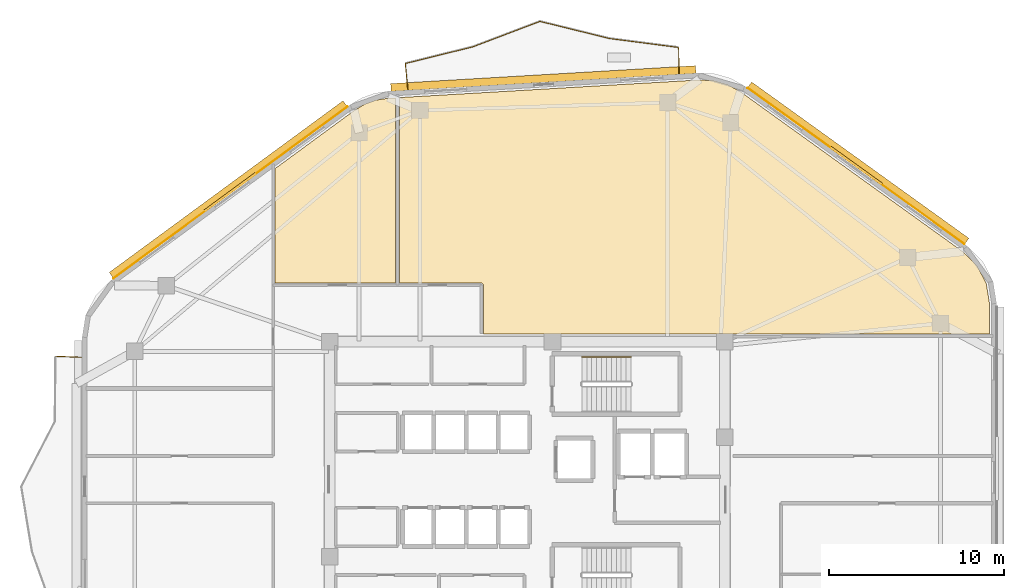
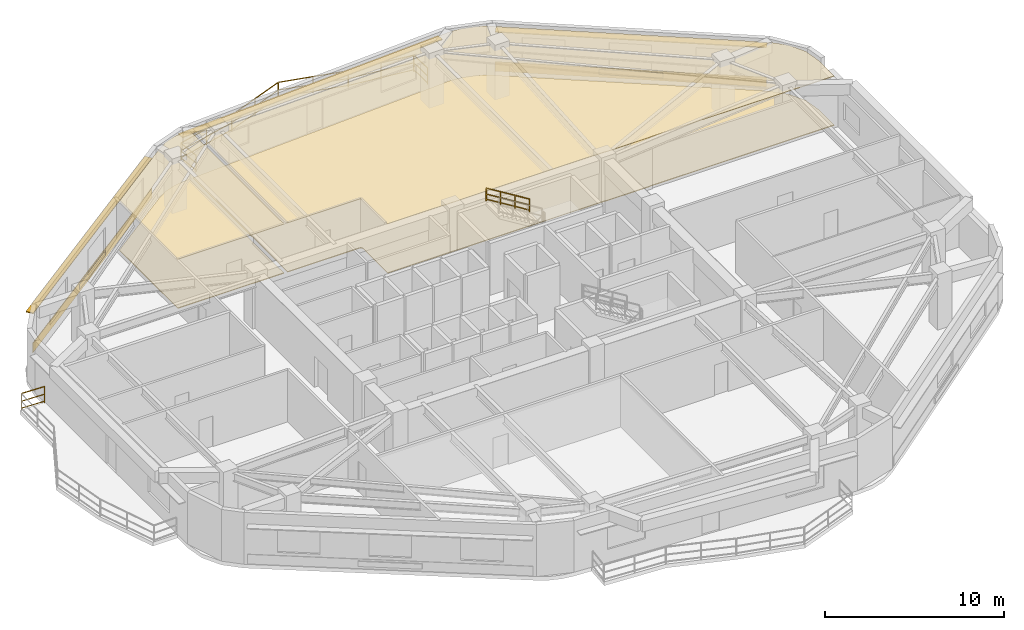
# One storey, part 9 of 9: 8 railings, 6 coverings, 5 shading devices.
"""IFC4 building model written with IfcOpenShell, lengths in metres."""

from ifc_helpers import new_model, si_unit, direction, frame, origin, origin_2d, place, context, subcontext, project, spatial, polyline, rectangle, outline, extrude, material, layer, layer_set, type_object, element, save


model = new_model("IFC4")

# Units and contexts
model_context = context("Model", 3, precision=1e-05, world=origin(), true_north=direction((0.0, 1.0)))
body_context = subcontext(model_context, "Body", "Model", "MODEL_VIEW")
ifc_project = project(units=[si_unit("LENGTHUNIT", "METRE"), si_unit("AREAUNIT", "SQUARE_METRE"), si_unit("VOLUMEUNIT", "CUBIC_METRE"), si_unit("PLANEANGLEUNIT", "RADIAN"), si_unit("MASSUNIT", "GRAM", prefix="KILO")], contexts=[model_context])

# Site, building, storey
site_placement = place(None, origin())
site = spatial("IfcSite", under=ifc_project, at=site_placement, CompositionType="ELEMENT")
building_placement = place(site_placement, origin())
building = spatial("IfcBuilding", under=site, at=building_placement, Name="Zulverin Broadcast Headquarters", CompositionType="ELEMENT")
storey_placement = place(building_placement, frame((0.0, 0.0, 212.39990234375)))
storey = spatial("IfcBuildingStorey", under=building, at=storey_placement, Name="L54", CompositionType="ELEMENT", Elevation=212.39990234375)

# Coverings
ifc_material_1 = material(Name="Perforated pale-metal acoustic baffle ceiling", Category="aluminium")
ifc_layer_1 = layer(ifc_material_1, 0.0400390625, Name="Perforated pale-metal acoustic baffle ceiling", Category="aluminium")
ifc_layer_set_1 = layer_set([ifc_layer_1], Name="Perforated pale-metal acoustic baffle ceiling")
covering_type_1 = type_object("IfcCoveringType", Name="COV-CEIL-ACOU", PredefinedType="CEILING", material=ifc_layer_set_1)
covering_1_placement = place(storey_placement, frame((0.0, 0.0, 3.360107421875)))
element("IfcCovering", 1, at=covering_1_placement, inside=storey, type_object=covering_type_1, Name="L54 Acoustic Baffle Ceiling 01", PredefinedType="CEILING", context=body_context, shape_type="SweptSolid", body=[
    extrude(outline(polyline([(29.47998046875, 36.419921875), (29.47998046875, 46.99609375), (29.075927734375, 46.971923828125), (28.3759765625, 46.864013671875), (27.73193359375, 46.632080078125), (27.1279296875, 46.26806640625), (22.6201171875, 42.9599609375), (22.6201171875, 36.419921875), (29.47998046875, 36.419921875)])), origin(), (0.0, 0.0, 1.0), 0.0400390625),
])
covering_2_placement = place(storey_placement, frame((0.0, 0.0, 3.360107421875)))
element("IfcCovering", 2, at=covering_2_placement, inside=storey, type_object=covering_type_1, Name="L54 Acoustic Baffle Ceiling 02", PredefinedType="CEILING", context=body_context, shape_type="SweptSolid", body=[
    extrude(outline(polyline([(47.679931640625, 47.968017578125), (46.840087890625, 48.01611328125), (41.10791015625, 47.679931640625), (29.719970703125, 47.008056640625), (29.719970703125, 36.419921875), (34.367919921875, 36.419921875), (34.3798828125, 36.419921875), (34.39208984375, 36.416015625), (34.39990234375, 36.416015625), (34.412109375, 36.412109375), (34.419921875, 36.407958984375), (34.427978515625, 36.404052734375), (34.43603515625, 36.39990234375), (34.447998046875, 36.39208984375), (34.4599609375, 36.384033203125), (34.468017578125, 36.3759765625), (34.47607421875, 36.367919921875), (34.48388671875, 36.360107421875), (34.491943359375, 36.347900390625), (34.5, 36.3359375), (34.50390625, 36.327880859375), (34.508056640625, 36.320068359375), (34.511962890625, 36.31201171875), (34.51611328125, 36.300048828125), (34.51611328125, 36.2919921875), (34.52001953125, 36.280029296875), (34.52001953125, 36.26806640625), (34.52001953125, 33.52001953125), (48.568115234375, 33.52001953125), (48.580078125, 33.52001953125), (48.592041015625, 33.51611328125), (48.60009765625, 33.51611328125), (48.612060546875, 33.511962890625), (48.6201171875, 33.508056640625), (48.635986328125, 33.5), (51.464111328125, 33.5), (51.471923828125, 33.50390625), (51.47998046875, 33.508056640625), (51.488037109375, 33.511962890625), (51.5, 33.51611328125), (51.508056640625, 33.51611328125), (51.52001953125, 33.52001953125), (51.531982421875, 33.52001953125), (63.39990234375, 33.52001953125), (63.39990234375, 35.236083984375), (63.216064453125, 36.384033203125), (62.699951171875, 37.387939453125), (61.8798828125, 38.2080078125), (51.427978515625, 45.72412109375), (49.196044921875, 47.33203125), (48.4599609375, 47.739990234375), (47.679931640625, 47.968017578125)])), origin(), (0.0, 0.0, 1.0), 0.0400390625),
])
ifc_material_2 = material(Name="Brushed pale-aluminium rainscreen cladding", Category="aluminium")
ifc_layer_2 = layer(ifc_material_2, 0.0400390625, Name="Brushed pale-aluminium rainscreen cladding", Category="aluminium")
ifc_layer_set_2 = layer_set([ifc_layer_2], Name="Brushed pale-aluminium rainscreen cladding")
covering_type_2 = type_object("IfcCoveringType", Name="COV-CLAD-PALE", PredefinedType="CLADDING", material=ifc_layer_set_2)
covering_3_placement = place(storey_placement, frame((55.7783203125, 43.099853515625, 0.05517578125), z_axis=(0.0, 0.0, 1.0), x_axis=(-0.811723852333, 0.58404142623, 0.0)))
element("IfcCovering", 3, at=covering_3_placement, inside=storey, type_object=covering_type_2, Name="L54 Brushed Pale-Aluminium Spandrel Cladding 4", PredefinedType="CLADDING", context=body_context, shape_type="SweptSolid", body=[
    extrude(rectangle(XDim=15.279296875, YDim=0.0400390625, at=origin_2d()), origin(), (0.0, 0.0, 1.0), 0.64990234375),
])
covering_4_placement = place(storey_placement, frame((20.062255859375, 41.5908203125, 0.05517578125), z_axis=(0.0, 0.0, 1.0), x_axis=(-0.806096670674, -0.591783877382, 0.0)))
element("IfcCovering", 4, at=covering_4_placement, inside=storey, type_object=covering_type_2, Name="L54 Brushed Pale-Aluminium Spandrel Cladding 6", PredefinedType="CLADDING", context=body_context, shape_type="SweptSolid", body=[
    extrude(rectangle(XDim=16.558837890625, YDim=0.0400390625, at=origin_2d()), origin(), (0.0, 0.0, 1.0), 0.64990234375),
])
ifc_material_3 = material(Name="Anti-static broadcast raised access flooring", Category="stone")
ifc_layer_3 = layer(ifc_material_3, 0.050048828125, Name="Anti-static broadcast raised access flooring", Category="stone")
ifc_layer_set_3 = layer_set([ifc_layer_3], Name="Anti-static broadcast raised access flooring")
covering_type_3 = type_object("IfcCoveringType", Name="COV-FLR-RAISED", PredefinedType="FLOORING", material=ifc_layer_set_3)
covering_5_placement = place(storey_placement, origin())
element("IfcCovering", 5, at=covering_5_placement, inside=storey, type_object=covering_type_3, Name="L54 Broadcast Raised Access Flooring 01", PredefinedType="FLOORING", context=body_context, shape_type="SweptSolid", body=[
    extrude(outline(polyline([(29.47998046875, 36.419921875), (29.47998046875, 46.99609375), (29.075927734375, 46.971923828125), (28.3759765625, 46.864013671875), (27.73193359375, 46.632080078125), (27.1279296875, 46.26806640625), (22.6201171875, 42.9599609375), (22.6201171875, 36.419921875), (29.47998046875, 36.419921875)])), origin(), (0.0, 0.0, 1.0), 0.050048828125),
])
covering_6_placement = place(storey_placement, origin())
element("IfcCovering", 6, at=covering_6_placement, inside=storey, type_object=covering_type_3, Name="L54 Broadcast Raised Access Flooring 02", PredefinedType="FLOORING", context=body_context, shape_type="SweptSolid", body=[
    extrude(outline(polyline([(47.679931640625, 47.968017578125), (46.840087890625, 48.01611328125), (41.10791015625, 47.679931640625), (29.719970703125, 47.008056640625), (29.719970703125, 36.419921875), (34.367919921875, 36.419921875), (34.3798828125, 36.419921875), (34.39208984375, 36.416015625), (34.39990234375, 36.416015625), (34.412109375, 36.412109375), (34.419921875, 36.407958984375), (34.427978515625, 36.404052734375), (34.43603515625, 36.39990234375), (34.447998046875, 36.39208984375), (34.4599609375, 36.384033203125), (34.468017578125, 36.3759765625), (34.47607421875, 36.367919921875), (34.48388671875, 36.360107421875), (34.491943359375, 36.347900390625), (34.5, 36.3359375), (34.50390625, 36.327880859375), (34.508056640625, 36.320068359375), (34.511962890625, 36.31201171875), (34.51611328125, 36.300048828125), (34.51611328125, 36.2919921875), (34.52001953125, 36.280029296875), (34.52001953125, 36.26806640625), (34.52001953125, 33.52001953125), (48.568115234375, 33.52001953125), (48.580078125, 33.52001953125), (48.592041015625, 33.51611328125), (48.60009765625, 33.51611328125), (48.612060546875, 33.511962890625), (48.6201171875, 33.508056640625), (48.635986328125, 33.5), (51.464111328125, 33.5), (51.471923828125, 33.50390625), (51.47998046875, 33.508056640625), (51.488037109375, 33.511962890625), (51.5, 33.51611328125), (51.508056640625, 33.51611328125), (51.52001953125, 33.52001953125), (51.531982421875, 33.52001953125), (63.39990234375, 33.52001953125), (63.39990234375, 35.236083984375), (63.216064453125, 36.384033203125), (62.699951171875, 37.387939453125), (61.8798828125, 38.2080078125), (51.427978515625, 45.72412109375), (49.196044921875, 47.33203125), (48.4599609375, 47.739990234375), (47.679931640625, 47.968017578125)])), origin(), (0.0, 0.0, 1.0), 0.050048828125),
])

# Railings
ifc_material_4 = material(Name="Brushed stainless steel & laminated glass balustrade", Category="steel")
railing_type_1 = type_object("IfcRailingType", Name="RL-GUARD-1150", PredefinedType="GUARDRAIL", material=ifc_material_4)
railing_1_placement = place(storey_placement, frame((45.677734375, 48.388427734375, 0.0)))
element("IfcRailing", 7, at=railing_1_placement, inside=storey, type_object=railing_type_1, Name="L54 Vertical-Forest Balcony Guardrail BAL_N Segment 01", PredefinedType="GUARDRAIL", context=body_context, shape_type="SweptSolid", body=[
    extrude(rectangle(XDim=0.048095703125, YDim=0.048095703125, at=origin_2d()), frame((0.0, 0.0, 1.1259765625), z_axis=(-0.018318045163, 0.999832210534, 0.0), x_axis=(-0.999832210534, -0.018318045163, 0.0)), (0.0, 0.0, 1.0), 1.466064453125),
    extrude(rectangle(XDim=0.0419921875, YDim=0.0419921875, at=origin_2d()), frame((0.0, 0.0, 0.597900390625), z_axis=(-0.018318045163, 0.999832210534, 0.0), x_axis=(-0.999832210534, -0.018318045163, 0.0)), (0.0, 0.0, 1.0), 1.466064453125),
    extrude(rectangle(XDim=0.0419921875, YDim=0.0419921875, at=origin_2d()), frame((0.0, 0.0, 0.1201171875), z_axis=(-0.018318045163, 0.999832210534, 0.0), x_axis=(-0.999832210534, -0.018318045163, 0.0)), (0.0, 0.0, 1.0), 1.466064453125),
    extrude(rectangle(XDim=0.0419921875, YDim=0.0419921875, at=origin_2d()), origin(), (0.0, 0.0, 1.0), 1.101806640625),
    extrude(rectangle(XDim=0.0419921875, YDim=0.0419921875, at=origin_2d()), frame((-0.02685546875, 1.4658203125, 0.0)), (0.0, 0.0, 1.0), 1.101806640625),
])
railing_2_placement = place(storey_placement, frame((45.6357421875, 49.87109375, 0.0)))
element("IfcRailing", 8, at=railing_2_placement, inside=storey, type_object=railing_type_1, Name="L54 Vertical-Forest Balcony Guardrail BAL_N Segment 02", PredefinedType="GUARDRAIL", context=body_context, shape_type="SweptSolid", body=[
    extrude(rectangle(XDim=0.048095703125, YDim=0.048095703125, at=origin_2d()), frame((0.0, 0.0, 1.1259765625), z_axis=(-0.991740860033, 0.12825781279, 0.0), x_axis=(-0.12825781279, -0.991740860033, 0.0)), (0.0, 0.0, 1.0), 3.947998046875),
    extrude(rectangle(XDim=0.0419921875, YDim=0.0419921875, at=origin_2d()), frame((0.0, 0.0, 0.597900390625), z_axis=(-0.991740860033, 0.12825781279, 0.0), x_axis=(-0.12825781279, -0.991740860033, 0.0)), (0.0, 0.0, 1.0), 3.947998046875),
    extrude(rectangle(XDim=0.0419921875, YDim=0.0419921875, at=origin_2d()), frame((0.0, 0.0, 0.1201171875), z_axis=(-0.991740860033, 0.12825781279, 0.0), x_axis=(-0.12825781279, -0.991740860033, 0.0)), (0.0, 0.0, 1.0), 3.947998046875),
    extrude(rectangle(XDim=0.0419921875, YDim=0.0419921875, at=origin_2d()), origin(), (0.0, 0.0, 1.0), 1.101806640625),
    extrude(rectangle(XDim=0.0419921875, YDim=0.0419921875, at=origin_2d()), frame((-1.95751953125, 0.253173828125, 0.0)), (0.0, 0.0, 1.0), 1.101806640625),
    extrude(rectangle(XDim=0.0419921875, YDim=0.0419921875, at=origin_2d()), frame((-3.915283203125, 0.50634765625, 0.0)), (0.0, 0.0, 1.0), 1.101806640625),
])
railing_3_placement = place(storey_placement, frame((41.69091796875, 50.3828125, 0.0)))
element("IfcRailing", 9, at=railing_3_placement, inside=storey, type_object=railing_type_1, Name="L54 Vertical-Forest Balcony Guardrail BAL_N Segment 03", PredefinedType="GUARDRAIL", context=body_context, shape_type="SweptSolid", body=[
    extrude(rectangle(XDim=0.048095703125, YDim=0.048095703125, at=origin_2d()), frame((0.0, 0.0, 1.1259765625), z_axis=(-0.971009726655, 0.239039977288, 0.0), x_axis=(-0.239039977288, -0.971009726655, 0.0)), (0.0, 0.0, 1.0), 4.060791015625),
    extrude(rectangle(XDim=0.0419921875, YDim=0.0419921875, at=origin_2d()), frame((0.0, 0.0, 0.597900390625), z_axis=(-0.971009726655, 0.239039977288, 0.0), x_axis=(-0.239039977288, -0.971009726655, 0.0)), (0.0, 0.0, 1.0), 4.060791015625),
    extrude(rectangle(XDim=0.0419921875, YDim=0.0419921875, at=origin_2d()), frame((0.0, 0.0, 0.1201171875), z_axis=(-0.971009726655, 0.239039977288, 0.0), x_axis=(-0.239039977288, -0.971009726655, 0.0)), (0.0, 0.0, 1.0), 4.060791015625),
    extrude(rectangle(XDim=0.0419921875, YDim=0.0419921875, at=origin_2d()), origin(), (0.0, 0.0, 1.0), 1.101806640625),
    extrude(rectangle(XDim=0.0419921875, YDim=0.0419921875, at=origin_2d()), frame((-1.9716796875, 0.4853515625, 0.0)), (0.0, 0.0, 1.0), 1.101806640625),
    extrude(rectangle(XDim=0.0419921875, YDim=0.0419921875, at=origin_2d()), frame((-3.943115234375, 0.970703125, 0.0)), (0.0, 0.0, 1.0), 1.101806640625),
])
railing_4_placement = place(storey_placement, frame((37.718994140625, 51.351806640625, 0.0)))
element("IfcRailing", 10, at=railing_4_placement, inside=storey, type_object=railing_type_1, Name="L54 Vertical-Forest Balcony Guardrail BAL_N Segment 04", PredefinedType="GUARDRAIL", context=body_context, shape_type="SweptSolid", body=[
    extrude(rectangle(XDim=0.048095703125, YDim=0.048095703125, at=origin_2d()), frame((0.0, 0.0, 1.1259765625), z_axis=(-0.935042150843, -0.354536565318, 0.0), x_axis=(0.354536565318, -0.935042150843, 0.0)), (0.0, 0.0, 1.0), 4.065673828125),
    extrude(rectangle(XDim=0.0419921875, YDim=0.0419921875, at=origin_2d()), frame((0.0, 0.0, 0.597900390625), z_axis=(-0.935042150843, -0.354536565318, 0.0), x_axis=(0.354536565318, -0.935042150843, 0.0)), (0.0, 0.0, 1.0), 4.065673828125),
    extrude(rectangle(XDim=0.0419921875, YDim=0.0419921875, at=origin_2d()), frame((0.0, 0.0, 0.1201171875), z_axis=(-0.935042150843, -0.354536565318, 0.0), x_axis=(0.354536565318, -0.935042150843, 0.0)), (0.0, 0.0, 1.0), 4.065673828125),
    extrude(rectangle(XDim=0.0419921875, YDim=0.0419921875, at=origin_2d()), origin(), (0.0, 0.0, 1.0), 1.101806640625),
    extrude(rectangle(XDim=0.0419921875, YDim=0.0419921875, at=origin_2d()), frame((-1.90087890625, -0.720703125, 0.0)), (0.0, 0.0, 1.0), 1.101806640625),
    extrude(rectangle(XDim=0.0419921875, YDim=0.0419921875, at=origin_2d()), frame((-3.801513671875, -1.44140625, 0.0)), (0.0, 0.0, 1.0), 1.101806640625),
])
railing_5_placement = place(storey_placement, frame((33.888916015625, 49.9013671875, 0.0)))
element("IfcRailing", 11, at=railing_5_placement, inside=storey, type_object=railing_type_1, Name="L54 Vertical-Forest Balcony Guardrail BAL_N Segment 05", PredefinedType="GUARDRAIL", context=body_context, shape_type="SweptSolid", body=[
    extrude(rectangle(XDim=0.048095703125, YDim=0.048095703125, at=origin_2d()), frame((0.0, 0.0, 1.1259765625), z_axis=(-0.970790611862, -0.239928297456, 0.0), x_axis=(0.239928297456, -0.970790611862, 0.0)), (0.0, 0.0, 1.0), 3.945068359375),
    extrude(rectangle(XDim=0.0419921875, YDim=0.0419921875, at=origin_2d()), frame((0.0, 0.0, 0.597900390625), z_axis=(-0.970790611862, -0.239928297456, 0.0), x_axis=(0.239928297456, -0.970790611862, 0.0)), (0.0, 0.0, 1.0), 3.945068359375),
    extrude(rectangle(XDim=0.0419921875, YDim=0.0419921875, at=origin_2d()), frame((0.0, 0.0, 0.1201171875), z_axis=(-0.970790611862, -0.239928297456, 0.0), x_axis=(0.239928297456, -0.970790611862, 0.0)), (0.0, 0.0, 1.0), 3.945068359375),
    extrude(rectangle(XDim=0.0419921875, YDim=0.0419921875, at=origin_2d()), origin(), (0.0, 0.0, 1.0), 1.101806640625),
    extrude(rectangle(XDim=0.0419921875, YDim=0.0419921875, at=origin_2d()), frame((-1.9150390625, -0.47314453125, 0.0)), (0.0, 0.0, 1.0), 1.101806640625),
    extrude(rectangle(XDim=0.0419921875, YDim=0.0419921875, at=origin_2d()), frame((-3.829833984375, -0.946533203125, 0.0)), (0.0, 0.0, 1.0), 1.101806640625),
])
railing_6_placement = place(storey_placement, frame((30.0458984375, 48.936279296875, 0.0)))
element("IfcRailing", 12, at=railing_6_placement, inside=storey, type_object=railing_type_1, Name="L54 Vertical-Forest Balcony Guardrail BAL_N Segment 06", PredefinedType="GUARDRAIL", context=body_context, shape_type="SweptSolid", body=[
    extrude(rectangle(XDim=0.048095703125, YDim=0.048095703125, at=origin_2d()), frame((0.0, 0.0, 1.1259765625), z_axis=(0.099256382944, -0.995061892771, 0.0), x_axis=(0.995061892771, 0.099256382944, 0.0)), (0.0, 0.0, 1.0), 1.466064453125),
    extrude(rectangle(XDim=0.0419921875, YDim=0.0419921875, at=origin_2d()), frame((0.0, 0.0, 0.597900390625), z_axis=(0.099256382944, -0.995061892771, 0.0), x_axis=(0.995061892771, 0.099256382944, 0.0)), (0.0, 0.0, 1.0), 1.466064453125),
    extrude(rectangle(XDim=0.0419921875, YDim=0.0419921875, at=origin_2d()), frame((0.0, 0.0, 0.1201171875), z_axis=(0.099256382944, -0.995061892771, 0.0), x_axis=(0.995061892771, 0.099256382944, 0.0)), (0.0, 0.0, 1.0), 1.466064453125),
    extrude(rectangle(XDim=0.0419921875, YDim=0.0419921875, at=origin_2d()), origin(), (0.0, 0.0, 1.0), 1.101806640625),
    extrude(rectangle(XDim=0.0419921875, YDim=0.0419921875, at=origin_2d()), frame((0.1455078125, -1.458740234375, 0.0)), (0.0, 0.0, 1.0), 1.101806640625),
])
railing_7_placement = place(storey_placement, frame((11.56005859375, 32.180419921875, 0.0)))
element("IfcRailing", 13, at=railing_7_placement, inside=storey, type_object=railing_type_1, Name="L54 Vertical-Forest Balcony Guardrail BAL_W Segment 01", PredefinedType="GUARDRAIL", context=body_context, shape_type="SweptSolid", body=[
    extrude(rectangle(XDim=0.048095703125, YDim=0.048095703125, at=origin_2d()), frame((0.0, 0.0, 1.1259765625), z_axis=(-0.999181155166, 0.040460093435, 0.0), x_axis=(-0.040460093435, -0.999181155166, 0.0)), (0.0, 0.0, 1.0), 1.46630859375),
    extrude(rectangle(XDim=0.0419921875, YDim=0.0419921875, at=origin_2d()), frame((0.0, 0.0, 0.597900390625), z_axis=(-0.999181155166, 0.040460093435, 0.0), x_axis=(-0.040460093435, -0.999181155166, 0.0)), (0.0, 0.0, 1.0), 1.46630859375),
    extrude(rectangle(XDim=0.0419921875, YDim=0.0419921875, at=origin_2d()), frame((0.0, 0.0, 0.1201171875), z_axis=(-0.999181155166, 0.040460093435, 0.0), x_axis=(-0.040460093435, -0.999181155166, 0.0)), (0.0, 0.0, 1.0), 1.46630859375),
    extrude(rectangle(XDim=0.0419921875, YDim=0.0419921875, at=origin_2d()), origin(), (0.0, 0.0, 1.0), 1.101806640625),
    extrude(rectangle(XDim=0.0419921875, YDim=0.0419921875, at=origin_2d()), frame((-1.465087890625, 0.059326171875, 0.0)), (0.0, 0.0, 1.0), 1.101806640625),
])
ifc_material_5 = material(Name="Brushed stainless steel 48 mm handrail", Category="steel")
railing_type_2 = type_object("IfcRailingType", Name="RL-ST-HAND", PredefinedType="HANDRAIL", material=ifc_material_5)
railing_8_placement = place(storey_placement, frame((42.929931640625, 32.199951171875, 2.07275390625)))
element("IfcRailing", 14, at=railing_8_placement, inside=storey, type_object=railing_type_2, Name="L54 ST-1 stair handrail 2", PredefinedType="HANDRAIL", context=body_context, shape_type="SweptSolid", body=[
    extrude(rectangle(XDim=0.048095703125, YDim=0.048095703125, at=origin_2d()), frame((0.0, 0.0, 0.8759765625), z_axis=(-0.851089632645, 0.0, 0.525020415988), x_axis=(0.0, -1.0, 0.0)), (0.0, 0.0, 1.0), 3.2900390625),
    extrude(rectangle(XDim=0.0419921875, YDim=0.0419921875, at=origin_2d()), frame((0.0, 0.0, 0.468017578125), z_axis=(-0.851089632645, 0.0, 0.525020415988), x_axis=(0.0, -1.0, 0.0)), (0.0, 0.0, 1.0), 3.2900390625),
    extrude(rectangle(XDim=0.0419921875, YDim=0.0419921875, at=origin_2d()), frame((0.0, 0.0, 0.1201171875), z_axis=(-0.851089632645, 0.0, 0.525020415988), x_axis=(0.0, -1.0, 0.0)), (0.0, 0.0, 1.0), 3.2900390625),
    extrude(rectangle(XDim=0.0419921875, YDim=0.0419921875, at=origin_2d()), origin(), (0.0, 0.0, 1.0), 0.851806640625),
    extrude(rectangle(XDim=0.0419921875, YDim=0.0419921875, at=origin_2d()), frame((-0.933349609375, 0.0, 0.57568359375)), (0.0, 0.0, 1.0), 0.851806640625),
    extrude(rectangle(XDim=0.0419921875, YDim=0.0419921875, at=origin_2d()), frame((-1.86669921875, 0.0, 1.151611328125)), (0.0, 0.0, 1.0), 0.851806640625),
    extrude(rectangle(XDim=0.0419921875, YDim=0.0419921875, at=origin_2d()), frame((-2.800048828125, 0.0, 1.727294921875)), (0.0, 0.0, 1.0), 0.851806640625),
])

# Shading devices
ifc_material_6 = material(Name="Anodized pale-metal aluminium acoustic louvre", Category="aluminium")
shading_device_type_1 = type_object("IfcShadingDeviceType", Name="SHD-LOUVRE-350", PredefinedType="USERDEFINED", material=ifc_material_6)
for number, where, z_axis, x_axis, name in (
    (15, (55.7958984375, 43.124267578125, 0.2451171875), (0.0, 0.0, 1.0), (-0.811723852333, 0.58404142623, 0.0), "L54 Spandrel Intake Louvre 4"),
    (16, (20.04443359375, 41.614990234375, 0.2451171875), (0.0, 0.0, 1.0), (-0.806096670674, -0.591783877382, 0.0), "L54 Spandrel Intake Louvre 6"),
):
    element("IfcShadingDevice", number, at=place(storey_placement, frame(where, z_axis=z_axis, x_axis=x_axis)), inside=storey, type_object=shading_device_type_1, Name=name, ObjectType="LOUVRE", PredefinedType="USERDEFINED", context=body_context, shape_type="SweptSolid", body=[
        extrude(rectangle(XDim=3.60009765625, YDim=0.1201171875, at=origin_2d()), origin(), (0.0, 0.0, 1.0), 0.35009765625),
    ])
ifc_material_7 = material(Name="Anodized pale-metal aluminium sunshade", Category="aluminium")
ifc_layer_4 = layer(ifc_material_7, 0.06005859375, Name="Anodized pale-metal aluminium sunshade", Category="aluminium")
ifc_layer_set_4 = layer_set([ifc_layer_4], Name="Anodized pale-metal aluminium sunshade")
shading_device_type_2 = type_object("IfcShadingDeviceType", Name="SS-01_PALE_METAL_ALUMINIUM_SUNSHADE", PredefinedType="USERDEFINED", material=ifc_layer_set_4)
shading_device_1_placement = place(storey_placement, frame((55.889404296875, 43.254150390625, 2.7099609375), z_axis=(0.0, 0.0, 1.0), x_axis=(-0.811723852333, 0.58404142623, 0.0)))
element("IfcShadingDevice", 17, at=shading_device_1_placement, inside=storey, type_object=shading_device_type_2, Name="L54 Horizontal Pale-Metal Sunshade Band 4", ObjectType="SUNSHADE", PredefinedType="USERDEFINED", context=body_context, shape_type="SweptSolid", body=[
    extrude(rectangle(XDim=15.279296875, YDim=0.449951171875, at=origin_2d()), origin(), (0.0, 0.0, 1.0), 0.06005859375),
])
shading_device_2_placement = place(storey_placement, frame((37.925048828125, 48.0927734375, 2.7099609375), z_axis=(0.0, 0.0, 1.0), x_axis=(-0.998274332859, -0.058722707319, 0.0)))
element("IfcShadingDevice", 18, at=shading_device_2_placement, inside=storey, type_object=shading_device_type_2, Name="L54 Horizontal Pale-Metal Sunshade Band 5", ObjectType="SUNSHADE", PredefinedType="USERDEFINED", context=body_context, shape_type="SweptSolid", body=[
    extrude(rectangle(XDim=17.43310546875, YDim=0.449951171875, at=origin_2d()), origin(), (0.0, 0.0, 1.0), 0.06005859375),
])
shading_device_3_placement = place(storey_placement, frame((19.94970703125, 41.743896484375, 2.7099609375), z_axis=(0.0, 0.0, 1.0), x_axis=(-0.806096670674, -0.591783877382, 0.0)))
element("IfcShadingDevice", 19, at=shading_device_3_placement, inside=storey, type_object=shading_device_type_2, Name="L54 Horizontal Pale-Metal Sunshade Band 6", ObjectType="SUNSHADE", PredefinedType="USERDEFINED", context=body_context, shape_type="SweptSolid", body=[
    extrude(rectangle(XDim=16.558837890625, YDim=0.449951171875, at=origin_2d()), origin(), (0.0, 0.0, 1.0), 0.06005859375),
])

save(model, "model.ifc")
